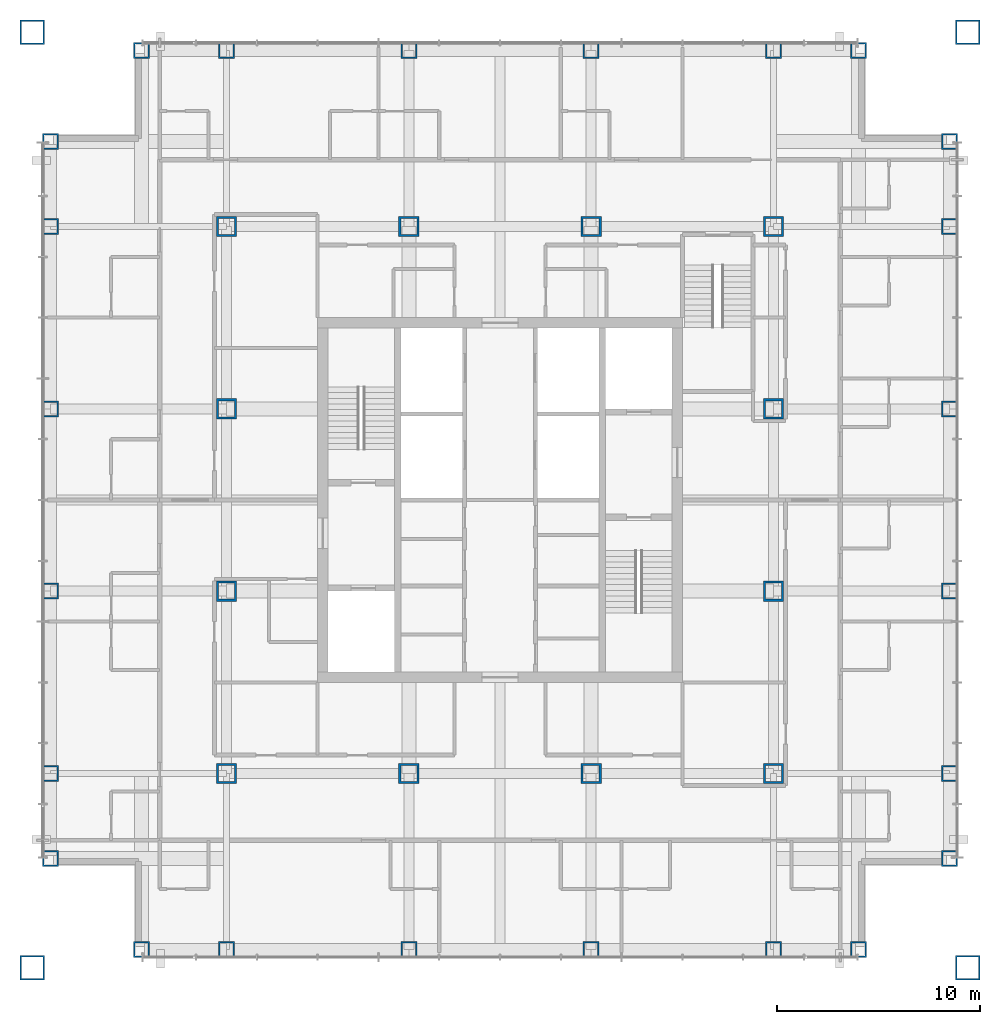
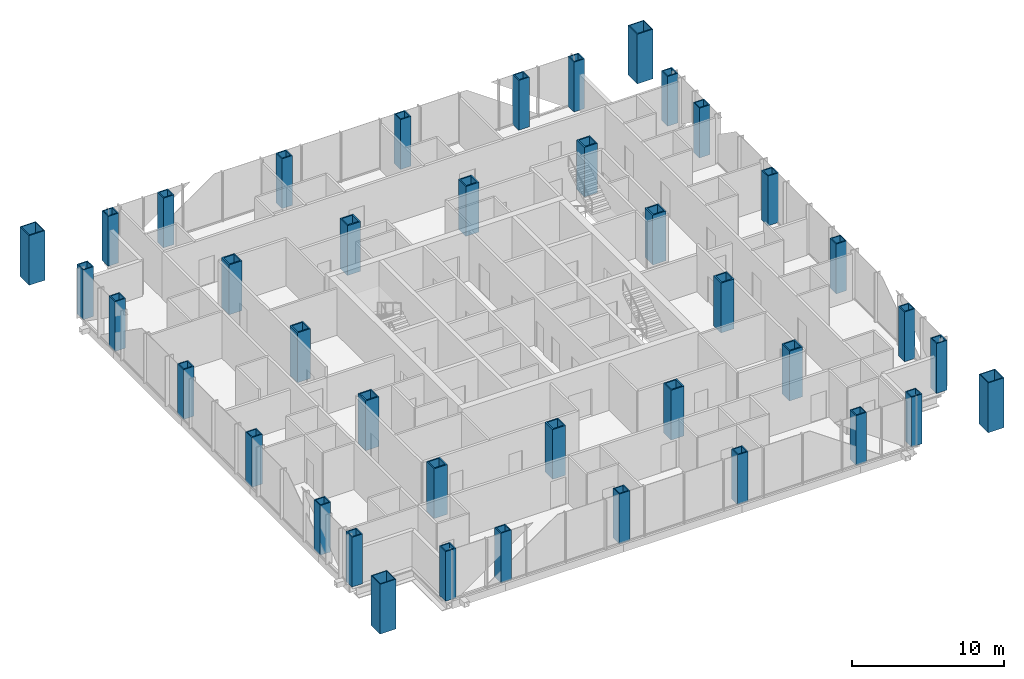
# One storey, part 1 of 15: 40 columns.
"""IFC4 building model written with IfcOpenShell, lengths in metres."""

from ifc_helpers import new_model, si_unit, direction, frame, origin, origin_2d, place, context, subcontext, project, spatial, hollow_rectangle, extrude, material, material_profile, profile_set, type_object, element, save


model = new_model("IFC4")

# Units and contexts
model_context = context("Model", 3, precision=1e-05, world=origin(), true_north=direction((0.0, 1.0)))
body_context = subcontext(model_context, "Body", "Model", "MODEL_VIEW")
ifc_project = project(units=[si_unit("LENGTHUNIT", "METRE"), si_unit("AREAUNIT", "SQUARE_METRE"), si_unit("VOLUMEUNIT", "CUBIC_METRE"), si_unit("PLANEANGLEUNIT", "RADIAN"), si_unit("MASSUNIT", "GRAM", prefix="KILO")], contexts=[model_context])

# Site, building, storey
site_placement = place(None, origin())
site = spatial("IfcSite", under=ifc_project, at=site_placement, CompositionType="ELEMENT")
building_placement = place(site_placement, origin())
building = spatial("IfcBuilding", under=site, at=building_placement, Name="Malebo Sky Hospital", CompositionType="ELEMENT")
storey_placement = place(building_placement, frame((0.0, 0.0, 181.0)))
storey = spatial("IfcBuildingStorey", under=building, at=storey_placement, Name="L43", CompositionType="ELEMENT", Elevation=181.0)

# Columns
ifc_material = material(Name="Steel S460", Category="steel")
ifc_material_profile_1 = material_profile(ifc_material, hollow_rectangle(XDim=1.0, YDim=1.0, WallThickness=0.10009765625, at=origin_2d()), Name="BOX 1000x1000x100")
ifc_profile_set_1 = profile_set([ifc_material_profile_1], Name="Steel S460")
column_type_1 = type_object("IfcColumnType", Name="INNER COLUMN BOX 1000x1000x100", PredefinedType="COLUMN", material=ifc_profile_set_1)
for number, where, z_axis, x_axis, name in (
    (1, (46.5, 48.5, 0.0), (0.0, 0.0, 1.0), (1.0, 0.0, 0.0), "Column IC9 L43"),
    (2, (73.5, 48.5, 0.0), (0.0, 0.0, 1.0), (1.0, 0.0, 0.0), "Column IC9 L43"),
    (3, (73.5, 75.5, 0.0), (0.0, 0.0, 1.0), (1.0, 0.0, 0.0), "Column IC9 L43"),
    (4, (46.5, 75.5, 0.0), (0.0, 0.0, 1.0), (1.0, 0.0, 0.0), "Column IC9 L43"),
    (5, (55.5, 48.5, 0.0), (0.0, 0.0, 1.0), (1.0, 0.0, 0.0), "Column IC9 L43"),
    (6, (64.5, 48.5, 0.0), (0.0, 0.0, 1.0), (1.0, 0.0, 0.0), "Column IC9 L43"),
    (7, (55.5, 75.5, 0.0), (0.0, 0.0, 1.0), (1.0, 0.0, 0.0), "Column IC9 L43"),
    (8, (64.5, 75.5, 0.0), (0.0, 0.0, 1.0), (1.0, 0.0, 0.0), "Column IC9 L43"),
    (9, (46.5, 57.5, 0.0), (0.0, 0.0, 1.0), (1.0, 0.0, 0.0), "Column IC9 L43"),
    (10, (46.5, 66.5, 0.0), (0.0, 0.0, 1.0), (1.0, 0.0, 0.0), "Column IC9 L43"),
    (11, (73.5, 57.5, 0.0), (0.0, 0.0, 1.0), (1.0, 0.0, 0.0), "Column IC9 L43"),
    (12, (73.5, 66.5, 0.0), (0.0, 0.0, 1.0), (1.0, 0.0, 0.0), "Column IC9 L43"),
):
    element("IfcColumn", number, at=place(storey_placement, frame(where, z_axis=z_axis, x_axis=x_axis)), inside=storey, type_object=column_type_1, Name=name, PredefinedType="COLUMN", context=body_context, shape_type="SweptSolid", body=[
        extrude(hollow_rectangle(XDim=1.0, YDim=1.0, WallThickness=0.10009765625, at=origin_2d()), origin(), (0.0, 0.0, 1.0), 4.0),
    ])
ifc_material_profile_2 = material_profile(ifc_material, hollow_rectangle(XDim=1.199951171875, YDim=1.199951171875, WallThickness=0.070068359375, at=origin_2d()), Name="BOX 1200x1200x70")
ifc_profile_set_2 = profile_set([ifc_material_profile_2], Name="Steel S460")
column_type_2 = type_object("IfcColumnType", Name="MEGA COLUMN BOX 1200x1200x70", PredefinedType="COLUMN", material=ifc_profile_set_2)
for number, where, z_axis, x_axis, name in (
    (13, (36.89990234375, 38.89990234375, 0.0), (0.0, 0.0, 1.0), (1.0, 0.0, 0.0), "Mega column SW L43"),
    (14, (83.10009765625, 38.89990234375, 0.0), (0.0, 0.0, 1.0), (1.0, 0.0, 0.0), "Mega column SE L43"),
    (15, (83.10009765625, 85.10009765625, 0.0), (0.0, 0.0, 1.0), (1.0, 0.0, 0.0), "Mega column NE L43"),
    (16, (36.89990234375, 85.10009765625, 0.0), (0.0, 0.0, 1.0), (1.0, 0.0, 0.0), "Mega column NW L43"),
):
    element("IfcColumn", number, at=place(storey_placement, frame(where, z_axis=z_axis, x_axis=x_axis)), inside=storey, type_object=column_type_2, Name=name, PredefinedType="COLUMN", context=body_context, shape_type="SweptSolid", body=[
        extrude(hollow_rectangle(XDim=1.199951171875, YDim=1.199951171875, WallThickness=0.070068359375, at=origin_2d()), origin(), (0.0, 0.0, 1.0), 4.0),
    ])
ifc_material_profile_3 = material_profile(ifc_material, hollow_rectangle(XDim=0.800048828125, YDim=0.800048828125, WallThickness=0.080078125, at=origin_2d()), Name="BOX 800x800x80")
ifc_profile_set_3 = profile_set([ifc_material_profile_3], Name="Steel S460")
column_type_3 = type_object("IfcColumnType", Name="PERIMETER COLUMN BOX 800x800x80", PredefinedType="COLUMN", material=ifc_profile_set_3)
for number, where, z_axis, x_axis, name in (
    (17, (42.300048828125, 39.800048828125, 0.0), (0.0, 0.0, 1.0), (1.0, 0.0, 0.0), "Column PC7 L43"),
    (18, (42.300048828125, 84.199951171875, 0.0), (0.0, 0.0, 1.0), (1.0, 0.0, 0.0), "Column PC7 L43"),
    (19, (37.800048828125, 44.300048828125, 0.0), (0.0, 0.0, 1.0), (1.0, 0.0, 0.0), "Column PC7 L43"),
    (20, (82.199951171875, 44.300048828125, 0.0), (0.0, 0.0, 1.0), (1.0, 0.0, 0.0), "Column PC7 L43"),
    (21, (46.5, 39.800048828125, 0.0), (0.0, 0.0, 1.0), (1.0, 0.0, 0.0), "Column PC7 L43"),
    (22, (46.5, 84.199951171875, 0.0), (0.0, 0.0, 1.0), (1.0, 0.0, 0.0), "Column PC7 L43"),
    (23, (37.800048828125, 48.5, 0.0), (0.0, 0.0, 1.0), (1.0, 0.0, 0.0), "Column PC7 L43"),
    (24, (82.199951171875, 48.5, 0.0), (0.0, 0.0, 1.0), (1.0, 0.0, 0.0), "Column PC7 L43"),
    (25, (55.5, 39.800048828125, 0.0), (0.0, 0.0, 1.0), (1.0, 0.0, 0.0), "Column PC7 L43"),
    (26, (55.5, 84.199951171875, 0.0), (0.0, 0.0, 1.0), (1.0, 0.0, 0.0), "Column PC7 L43"),
    (27, (37.800048828125, 57.5, 0.0), (0.0, 0.0, 1.0), (1.0, 0.0, 0.0), "Column PC7 L43"),
    (28, (82.199951171875, 57.5, 0.0), (0.0, 0.0, 1.0), (1.0, 0.0, 0.0), "Column PC7 L43"),
    (29, (64.5, 39.800048828125, 0.0), (0.0, 0.0, 1.0), (1.0, 0.0, 0.0), "Column PC7 L43"),
    (30, (64.5, 84.199951171875, 0.0), (0.0, 0.0, 1.0), (1.0, 0.0, 0.0), "Column PC7 L43"),
    (31, (37.800048828125, 66.5, 0.0), (0.0, 0.0, 1.0), (1.0, 0.0, 0.0), "Column PC7 L43"),
    (32, (82.199951171875, 66.5, 0.0), (0.0, 0.0, 1.0), (1.0, 0.0, 0.0), "Column PC7 L43"),
    (33, (73.5, 39.800048828125, 0.0), (0.0, 0.0, 1.0), (1.0, 0.0, 0.0), "Column PC7 L43"),
    (34, (73.5, 84.199951171875, 0.0), (0.0, 0.0, 1.0), (1.0, 0.0, 0.0), "Column PC7 L43"),
    (35, (37.800048828125, 75.5, 0.0), (0.0, 0.0, 1.0), (1.0, 0.0, 0.0), "Column PC7 L43"),
    (36, (82.199951171875, 75.5, 0.0), (0.0, 0.0, 1.0), (1.0, 0.0, 0.0), "Column PC7 L43"),
    (37, (77.699951171875, 39.800048828125, 0.0), (0.0, 0.0, 1.0), (1.0, 0.0, 0.0), "Column PC7 L43"),
    (38, (77.699951171875, 84.199951171875, 0.0), (0.0, 0.0, 1.0), (1.0, 0.0, 0.0), "Column PC7 L43"),
    (39, (37.800048828125, 79.699951171875, 0.0), (0.0, 0.0, 1.0), (1.0, 0.0, 0.0), "Column PC7 L43"),
    (40, (82.199951171875, 79.699951171875, 0.0), (0.0, 0.0, 1.0), (1.0, 0.0, 0.0), "Column PC7 L43"),
):
    element("IfcColumn", number, at=place(storey_placement, frame(where, z_axis=z_axis, x_axis=x_axis)), inside=storey, type_object=column_type_3, Name=name, PredefinedType="COLUMN", context=body_context, shape_type="SweptSolid", body=[
        extrude(hollow_rectangle(XDim=0.800048828125, YDim=0.800048828125, WallThickness=0.080078125, at=origin_2d()), origin(), (0.0, 0.0, 1.0), 4.0),
    ])

save(model, "model.ifc")
